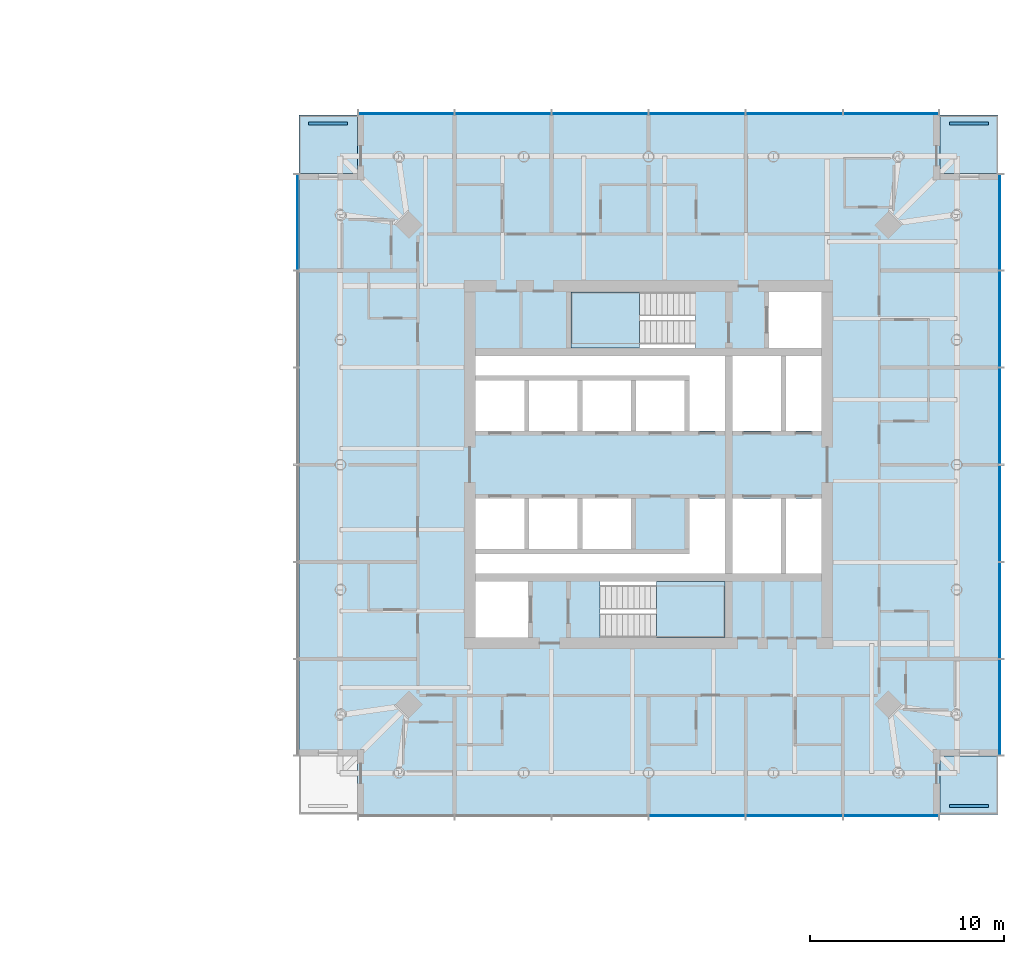
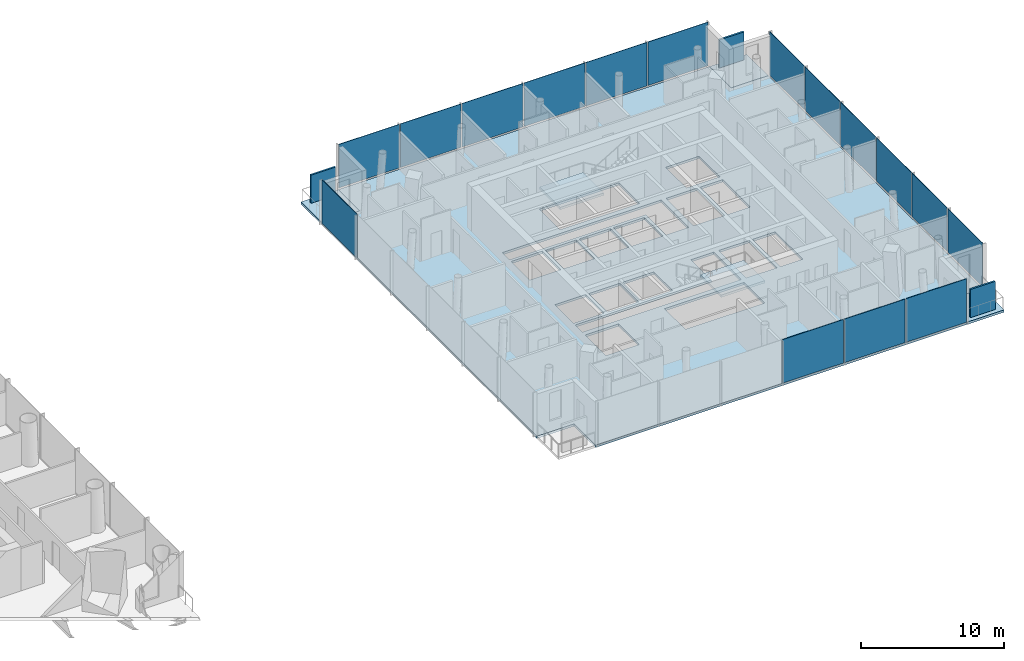
# One storey, part 7 of 18: 19 plates, 6 slabs, 6 elements without a shape of their own.
"""IFC4 building model written with IfcOpenShell, lengths in metres."""

from ifc_helpers import new_model, si_unit, direction, frame, origin, origin_2d, place, context, subcontext, project, spatial, polyline, rectangle, outline, extrude, material, layer, layer_set, type_object, element, aggregate, save


model = new_model("IFC4")

# Units and contexts
model_context = context("Model", 3, precision=1e-05, world=origin(), true_north=direction((0.0, 1.0)))
body_context = subcontext(model_context, "Body", "Model", "MODEL_VIEW")
ifc_project = project(units=[si_unit("LENGTHUNIT", "METRE"), si_unit("AREAUNIT", "SQUARE_METRE"), si_unit("VOLUMEUNIT", "CUBIC_METRE"), si_unit("PLANEANGLEUNIT", "RADIAN"), si_unit("MASSUNIT", "GRAM", prefix="KILO")], contexts=[model_context])

# Site, building, storey
site_placement = place(None, origin())
site = spatial("IfcSite", under=ifc_project, at=site_placement, CompositionType="ELEMENT")
building_placement = place(site_placement, origin())
building = spatial("IfcBuilding", under=site, at=building_placement, Name="Ostroluk Exchange", CompositionType="ELEMENT")
storey_placement = place(building_placement, frame((0.0, 0.0, 93.199951171875)))
storey = spatial("IfcBuildingStorey", under=building, at=storey_placement, Name="L23", CompositionType="ELEMENT", Elevation=93.199951171875)

# Curtain wall, plates
ifc_material_1 = material(Name="Laminated clear glass", Category="glass")
curtain_wall_type = type_object("IfcCurtainWallType", Name="Hotel guest floor facade", PredefinedType="USERDEFINED", material=ifc_material_1)
curtain_wall_1_placement = place(storey_placement, origin())
curtain_wall_1 = element("IfcCurtainWall", 1, at=curtain_wall_1_placement, inside=storey, type_object=curtain_wall_type, Name="Hotel tower south facade L23", ObjectType="UNITISED CURTAIN WALL", PredefinedType="USERDEFINED")
ifc_material_2 = material(Name="Laminated clear glass", Category="glass")
ifc_layer_1 = layer(ifc_material_2, 0.0400390625)
ifc_layer_set_1 = layer_set([ifc_layer_1], Name="Acoustic laminated glazing 40")
plate_type_1 = type_object("IfcPlateType", Name="Acoustic laminated glazing 40", PredefinedType="CURTAIN_PANEL", material=ifc_layer_set_1)
plate_1_placement = place(storey_placement, frame((119.5, 27.925048828125, 0.080078125), z_axis=(0.0, 0.0, 1.0), x_axis=(1.0, 0.0, 0.0)))
plate_1 = element("IfcPlate", 2, at=plate_1_placement, type_object=plate_type_1, Name="CW-H1 panel 4.1", PredefinedType="CURTAIN_PANEL", context=body_context, shape_type="SweptSolid", body=[
    extrude(rectangle(XDim=4.919921875, YDim=0.0400390625, at=origin_2d()), origin(), (0.0, 0.0, 1.0), 3.719970703125),
])
plate_2_placement = place(storey_placement, frame((124.5, 27.925048828125, 0.080078125), z_axis=(0.0, 0.0, 1.0), x_axis=(1.0, 0.0, 0.0)))
plate_2 = element("IfcPlate", 3, at=plate_2_placement, type_object=plate_type_1, Name="CW-H1 panel 5.1", PredefinedType="CURTAIN_PANEL", context=body_context, shape_type="SweptSolid", body=[
    extrude(rectangle(XDim=4.919921875, YDim=0.0400390625, at=origin_2d()), origin(), (0.0, 0.0, 1.0), 3.719970703125),
])
plate_3_placement = place(storey_placement, frame((129.47998046875, 27.925048828125, 0.080078125), z_axis=(0.0, 0.0, 1.0), x_axis=(1.0, 0.0, 0.0)))
plate_3 = element("IfcPlate", 4, at=plate_3_placement, type_object=plate_type_1, Name="CW-H1 panel 6.1", PredefinedType="CURTAIN_PANEL", context=body_context, shape_type="SweptSolid", body=[
    extrude(rectangle(XDim=4.8798828125, YDim=0.0400390625, at=origin_2d()), origin(), (0.0, 0.0, 1.0), 3.719970703125),
])
aggregate(curtain_wall_1, [plate_1, plate_2, plate_3])

curtain_wall_2_placement = place(storey_placement, origin())
curtain_wall_2 = element("IfcCurtainWall", 5, at=curtain_wall_2_placement, inside=storey, type_object=curtain_wall_type, Name="Hotel tower east facade L23", ObjectType="UNITISED CURTAIN WALL", PredefinedType="USERDEFINED")
plate_4_placement = place(storey_placement, frame((135.074951171875, 33.52001953125, 0.080078125), z_axis=(0.0, 0.0, 1.0), x_axis=(0.0, 1.0, 0.0)))
plate_4 = element("IfcPlate", 6, at=plate_4_placement, type_object=plate_type_1, Name="CW-H1 panel 1.1", PredefinedType="CURTAIN_PANEL", context=body_context, shape_type="SweptSolid", body=[
    extrude(rectangle(XDim=4.8798828125, YDim=0.0400390625, at=origin_2d()), origin(), (0.0, 0.0, 1.0), 3.719970703125),
])
plate_5_placement = place(storey_placement, frame((135.074951171875, 38.5, 0.080078125), z_axis=(0.0, 0.0, 1.0), x_axis=(0.0, 1.0, 0.0)))
plate_5 = element("IfcPlate", 7, at=plate_5_placement, type_object=plate_type_1, Name="CW-H1 panel 2.1", PredefinedType="CURTAIN_PANEL", context=body_context, shape_type="SweptSolid", body=[
    extrude(rectangle(XDim=4.919921875, YDim=0.0400390625, at=origin_2d()), origin(), (0.0, 0.0, 1.0), 3.719970703125),
])
plate_6_placement = place(storey_placement, frame((135.074951171875, 43.5, 0.080078125), z_axis=(0.0, 0.0, 1.0), x_axis=(0.0, 1.0, 0.0)))
plate_6 = element("IfcPlate", 8, at=plate_6_placement, type_object=plate_type_1, Name="CW-H1 panel 3.1", PredefinedType="CURTAIN_PANEL", context=body_context, shape_type="SweptSolid", body=[
    extrude(rectangle(XDim=4.919921875, YDim=0.0400390625, at=origin_2d()), origin(), (0.0, 0.0, 1.0), 3.719970703125),
])
plate_7_placement = place(storey_placement, frame((135.074951171875, 48.5, 0.080078125), z_axis=(0.0, 0.0, 1.0), x_axis=(0.0, 1.0, 0.0)))
plate_7 = element("IfcPlate", 9, at=plate_7_placement, type_object=plate_type_1, Name="CW-H1 panel 4.1", PredefinedType="CURTAIN_PANEL", context=body_context, shape_type="SweptSolid", body=[
    extrude(rectangle(XDim=4.919921875, YDim=0.0400390625, at=origin_2d()), origin(), (0.0, 0.0, 1.0), 3.719970703125),
])
plate_8_placement = place(storey_placement, frame((135.074951171875, 53.5, 0.080078125), z_axis=(0.0, 0.0, 1.0), x_axis=(0.0, 1.0, 0.0)))
plate_8 = element("IfcPlate", 10, at=plate_8_placement, type_object=plate_type_1, Name="CW-H1 panel 5.1", PredefinedType="CURTAIN_PANEL", context=body_context, shape_type="SweptSolid", body=[
    extrude(rectangle(XDim=4.919921875, YDim=0.0400390625, at=origin_2d()), origin(), (0.0, 0.0, 1.0), 3.719970703125),
])
plate_9_placement = place(storey_placement, frame((135.074951171875, 58.47998046875, 0.080078125), z_axis=(0.0, 0.0, 1.0), x_axis=(0.0, 1.0, 0.0)))
plate_9 = element("IfcPlate", 11, at=plate_9_placement, type_object=plate_type_1, Name="CW-H1 panel 6.1", PredefinedType="CURTAIN_PANEL", context=body_context, shape_type="SweptSolid", body=[
    extrude(rectangle(XDim=4.8798828125, YDim=0.0400390625, at=origin_2d()), origin(), (0.0, 0.0, 1.0), 3.719970703125),
])
aggregate(curtain_wall_2, [plate_4, plate_5, plate_6, plate_7, plate_8, plate_9])

curtain_wall_3_placement = place(storey_placement, origin())
curtain_wall_3 = element("IfcCurtainWall", 12, at=curtain_wall_3_placement, inside=storey, type_object=curtain_wall_type, Name="Hotel tower north facade L23", ObjectType="UNITISED CURTAIN WALL", PredefinedType="USERDEFINED")
plate_10_placement = place(storey_placement, frame((129.47998046875, 64.074951171875, 0.080078125), z_axis=(0.0, 0.0, 1.0), x_axis=(-1.0, 0.0, 0.0)))
plate_10 = element("IfcPlate", 13, at=plate_10_placement, type_object=plate_type_1, Name="CW-H1 panel 1.1", PredefinedType="CURTAIN_PANEL", context=body_context, shape_type="SweptSolid", body=[
    extrude(rectangle(XDim=4.8798828125, YDim=0.0400390625, at=origin_2d()), origin(), (0.0, 0.0, 1.0), 3.719970703125),
])
plate_11_placement = place(storey_placement, frame((124.5, 64.074951171875, 0.080078125), z_axis=(0.0, 0.0, 1.0), x_axis=(-1.0, 0.0, 0.0)))
plate_11 = element("IfcPlate", 14, at=plate_11_placement, type_object=plate_type_1, Name="CW-H1 panel 2.1", PredefinedType="CURTAIN_PANEL", context=body_context, shape_type="SweptSolid", body=[
    extrude(rectangle(XDim=4.919921875, YDim=0.0400390625, at=origin_2d()), origin(), (0.0, 0.0, 1.0), 3.719970703125),
])
plate_12_placement = place(storey_placement, frame((119.5, 64.074951171875, 0.080078125), z_axis=(0.0, 0.0, 1.0), x_axis=(-1.0, 0.0, 0.0)))
plate_12 = element("IfcPlate", 15, at=plate_12_placement, type_object=plate_type_1, Name="CW-H1 panel 3.1", PredefinedType="CURTAIN_PANEL", context=body_context, shape_type="SweptSolid", body=[
    extrude(rectangle(XDim=4.919921875, YDim=0.0400390625, at=origin_2d()), origin(), (0.0, 0.0, 1.0), 3.719970703125),
])
plate_13_placement = place(storey_placement, frame((114.5, 64.074951171875, 0.080078125), z_axis=(0.0, 0.0, 1.0), x_axis=(-1.0, 0.0, 0.0)))
plate_13 = element("IfcPlate", 16, at=plate_13_placement, type_object=plate_type_1, Name="CW-H1 panel 4.1", PredefinedType="CURTAIN_PANEL", context=body_context, shape_type="SweptSolid", body=[
    extrude(rectangle(XDim=4.919921875, YDim=0.0400390625, at=origin_2d()), origin(), (0.0, 0.0, 1.0), 3.719970703125),
])
plate_14_placement = place(storey_placement, frame((109.5, 64.074951171875, 0.080078125), z_axis=(0.0, 0.0, 1.0), x_axis=(-1.0, 0.0, 0.0)))
plate_14 = element("IfcPlate", 17, at=plate_14_placement, type_object=plate_type_1, Name="CW-H1 panel 5.1", PredefinedType="CURTAIN_PANEL", context=body_context, shape_type="SweptSolid", body=[
    extrude(rectangle(XDim=4.919921875, YDim=0.0400390625, at=origin_2d()), origin(), (0.0, 0.0, 1.0), 3.719970703125),
])
plate_15_placement = place(storey_placement, frame((104.52001953125, 64.074951171875, 0.080078125), z_axis=(0.0, 0.0, 1.0), x_axis=(-1.0, 0.0, 0.0)))
plate_15 = element("IfcPlate", 18, at=plate_15_placement, type_object=plate_type_1, Name="CW-H1 panel 6.1", PredefinedType="CURTAIN_PANEL", context=body_context, shape_type="SweptSolid", body=[
    extrude(rectangle(XDim=4.8798828125, YDim=0.0400390625, at=origin_2d()), origin(), (0.0, 0.0, 1.0), 3.719970703125),
])
aggregate(curtain_wall_3, [plate_10, plate_11, plate_12, plate_13, plate_14, plate_15])

# Curtain wall, plate
curtain_wall_4_placement = place(storey_placement, origin())
curtain_wall_4 = element("IfcCurtainWall", 19, at=curtain_wall_4_placement, inside=storey, type_object=curtain_wall_type, Name="Hotel tower west facade L23", ObjectType="UNITISED CURTAIN WALL", PredefinedType="USERDEFINED")
plate_16_placement = place(storey_placement, frame((98.925048828125, 58.47998046875, 0.080078125), z_axis=(0.0, 0.0, 1.0), x_axis=(0.0, -1.0, 0.0)))
plate_16 = element("IfcPlate", 20, at=plate_16_placement, type_object=plate_type_1, Name="CW-H1 panel 1.1", PredefinedType="CURTAIN_PANEL", context=body_context, shape_type="SweptSolid", body=[
    extrude(rectangle(XDim=4.8798828125, YDim=0.0400390625, at=origin_2d()), origin(), (0.0, 0.0, 1.0), 3.719970703125),
])
aggregate(curtain_wall_4, [plate_16])

# Slabs
ifc_material_3 = material(Name="Concrete C35/45", Category="concrete")
ifc_layer_2 = layer(ifc_material_3, 0.199951171875)
ifc_layer_set_2 = layer_set([ifc_layer_2], Name="Balcony slab 200")
slab_type_1 = type_object("IfcSlabType", Name="Balcony slab 200", PredefinedType="USERDEFINED", material=ifc_layer_set_2)
slab_1_placement = place(storey_placement, frame((0.0, 0.0, -0.199951171875)))
element("IfcSlab", 21, at=slab_1_placement, inside=storey, type_object=slab_type_1, Name="Hotel tower SE corner balcony L23", ObjectType="BALCONY", PredefinedType="USERDEFINED", context=body_context, shape_type="SweptSolid", body=[
    extrude(outline(polyline([(132.0, 28.0), (135.0, 28.0), (135.0, 31.0), (132.0, 31.0), (132.0, 28.0)])), origin(), (0.0, 0.0, 1.0), 0.199951171875),
])
slab_2_placement = place(storey_placement, frame((0.0, 0.0, -0.199951171875)))
element("IfcSlab", 22, at=slab_2_placement, inside=storey, type_object=slab_type_1, Name="Hotel tower NE corner balcony L23", ObjectType="BALCONY", PredefinedType="USERDEFINED", context=body_context, shape_type="SweptSolid", body=[
    extrude(outline(polyline([(132.0, 61.0), (135.0, 61.0), (135.0, 64.0), (132.0, 64.0), (132.0, 61.0)])), origin(), (0.0, 0.0, 1.0), 0.199951171875),
])
slab_3_placement = place(storey_placement, frame((0.0, 0.0, -0.199951171875)))
element("IfcSlab", 23, at=slab_3_placement, inside=storey, type_object=slab_type_1, Name="Hotel tower NW corner balcony L23", ObjectType="BALCONY", PredefinedType="USERDEFINED", context=body_context, shape_type="SweptSolid", body=[
    extrude(outline(polyline([(99.0, 61.0), (102.0, 61.0), (102.0, 64.0), (99.0, 64.0), (99.0, 61.0)])), origin(), (0.0, 0.0, 1.0), 0.199951171875),
])

# Plates
ifc_material_4 = material(Name="Steel S355 trellis with planting", Category="steel")
ifc_layer_3 = layer(ifc_material_4, 0.14990234375)
ifc_layer_set_3 = layer_set([ifc_layer_3], Name="Planted screen 150")
plate_type_2 = type_object("IfcPlateType", Name="Planted screen 150", PredefinedType="USERDEFINED", material=ifc_layer_set_3)
for number, where, z_axis, x_axis, name in (
    (24, (133.5, 28.425048828125, 0.0), (0.0, 0.0, 1.0), (1.0, 0.0, 0.0), "Hotel tower SE planted screen L23"),
    (25, (133.5, 63.574951171875, 0.0), (0.0, 0.0, 1.0), (1.0, 0.0, 0.0), "Hotel tower NE planted screen L23"),
    (26, (100.5, 63.574951171875, 0.0), (0.0, 0.0, 1.0), (1.0, 0.0, 0.0), "Hotel tower NW planted screen L23"),
):
    element("IfcPlate", number, at=place(storey_placement, frame(where, z_axis=z_axis, x_axis=x_axis)), inside=storey, type_object=plate_type_2, Name=name, ObjectType="PLANTED SCREEN", PredefinedType="USERDEFINED", context=body_context, shape_type="SweptSolid", body=[
        extrude(rectangle(XDim=2.0, YDim=0.14990234375, at=origin_2d()), origin(), (0.0, 0.0, 1.0), 2.39990234375),
    ])

# Stair, slab
ifc_material_5 = material(Name="Concrete C30/37", Category="concrete")
stair_type = type_object("IfcStairType", Name="Exit stair half turn 3800", PredefinedType="HALF_TURN_STAIR", material=ifc_material_5)
stair_1_placement = place(storey_placement, origin())
stair_1 = element("IfcStair", 27, at=stair_1_placement, inside=storey, type_object=stair_type, Name="Stair T2-S1 L23", PredefinedType="HALF_TURN_STAIR")
ifc_material_6 = material(Name="Concrete C30/37", Category="concrete")
ifc_layer_4 = layer(ifc_material_6, 0.199951171875)
ifc_layer_set_4 = layer_set([ifc_layer_4], Name="Stair landing 200")
slab_type_2 = type_object("IfcSlabType", Name="Stair landing 200", PredefinedType="LANDING", material=ifc_layer_set_4)
slab_4_placement = place(storey_placement, frame((0.0, 0.0, 1.699951171875)))
slab_4 = element("IfcSlab", 28, at=slab_4_placement, type_object=slab_type_2, Name="T2-S1 landing 1", PredefinedType="LANDING", context=body_context, shape_type="SweptSolid", body=[
    extrude(outline(polyline([(117.39990234375, 37.10009765625), (117.39990234375, 40.0), (120.929931640625, 40.0), (120.929931640625, 37.10009765625), (117.39990234375, 37.10009765625)])), origin(), (0.0, 0.0, 1.0), 0.2001953125),
])
aggregate(stair_1, [slab_4])

stair_2_placement = place(storey_placement, origin())
stair_2 = element("IfcStair", 29, at=stair_2_placement, inside=storey, type_object=stair_type, Name="Stair T2-S2 L23", PredefinedType="HALF_TURN_STAIR")
slab_5_placement = place(storey_placement, frame((0.0, 0.0, 1.699951171875)))
slab_5 = element("IfcSlab", 30, at=slab_5_placement, type_object=slab_type_2, Name="T2-S2 landing 1", PredefinedType="LANDING", context=body_context, shape_type="SweptSolid", body=[
    extrude(outline(polyline([(116.530029296875, 52.0), (116.530029296875, 54.89990234375), (113.0, 54.89990234375), (113.0, 52.0), (116.530029296875, 52.0)])), origin(), (0.0, 0.0, 1.0), 0.2001953125),
])
aggregate(stair_2, [slab_5])

# Slab
ifc_material_7 = material(Name="Concrete C35/45", Category="concrete")
ifc_layer_5 = layer(ifc_material_7, 0.199951171875)
ifc_layer_set_5 = layer_set([ifc_layer_5], Name="Tower floor slab 200 composite")
slab_type_3 = type_object("IfcSlabType", Name="Tower floor slab 200 composite", PredefinedType="FLOOR", material=ifc_layer_set_5)
slab_6_placement = place(storey_placement, frame((0.0, 0.0, -0.199951171875)))
element("IfcSlab", 31, at=slab_6_placement, inside=storey, type_object=slab_type_3, Name="Hotel tower floor slab L23", PredefinedType="FLOOR", context=body_context, shape_type="SweptSolid", body=[
    extrude(outline(polyline([(102.0, 28.0), (132.0, 28.0), (132.0, 31.0), (135.0, 31.0), (135.0, 61.0), (132.0, 61.0), (132.0, 64.0), (102.0, 64.0), (102.0, 61.0), (99.0, 61.0), (99.0, 31.0), (102.0, 31.0), (102.0, 28.0)]), holes=[polyline([(108.10009765625, 37.10009765625), (110.800048828125, 37.10009765625), (110.800048828125, 40.0), (108.10009765625, 40.0), (108.10009765625, 37.10009765625)]), polyline([(114.510009765625, 37.10009765625), (120.929931640625, 37.10009765625), (120.929931640625, 40.0), (114.510009765625, 40.0), (114.510009765625, 37.10009765625)]), polyline([(113.0, 52.0), (119.419921875, 52.0), (119.419921875, 54.89990234375), (113.0, 54.89990234375), (113.0, 52.0)]), polyline([(123.199951171875, 52.0), (125.89990234375, 52.0), (125.89990234375, 54.89990234375), (123.199951171875, 54.89990234375), (123.199951171875, 52.0)]), polyline([(108.10009765625, 47.75), (110.60009765625, 47.75), (110.60009765625, 50.35009765625), (108.10009765625, 50.35009765625), (108.10009765625, 47.75)]), polyline([(110.85009765625, 47.75), (113.35009765625, 47.75), (113.35009765625, 50.35009765625), (110.85009765625, 50.35009765625), (110.85009765625, 47.75)]), polyline([(113.60009765625, 47.75), (116.10009765625, 47.75), (116.10009765625, 50.35009765625), (113.60009765625, 50.35009765625), (113.60009765625, 47.75)]), polyline([(116.35009765625, 47.75), (118.85009765625, 47.75), (118.85009765625, 50.35009765625), (116.35009765625, 50.35009765625), (116.35009765625, 47.75)]), polyline([(108.10009765625, 41.64990234375), (110.60009765625, 41.64990234375), (110.60009765625, 44.25), (108.10009765625, 44.25), (108.10009765625, 41.64990234375)]), polyline([(110.85009765625, 41.64990234375), (113.35009765625, 41.64990234375), (113.35009765625, 44.25), (110.85009765625, 44.25), (110.85009765625, 41.64990234375)]), polyline([(113.60009765625, 41.64990234375), (116.10009765625, 41.64990234375), (116.10009765625, 44.25), (113.60009765625, 44.25), (113.60009765625, 41.64990234375)]), polyline([(121.330078125, 47.75), (123.830078125, 47.75), (123.830078125, 51.60009765625), (121.330078125, 51.60009765625), (121.330078125, 47.75)]), polyline([(121.330078125, 40.39990234375), (123.830078125, 40.39990234375), (123.830078125, 44.25), (121.330078125, 44.25), (121.330078125, 40.39990234375)]), polyline([(120.929931640625, 51.60009765625), (120.929931640625, 47.75), (119.10009765625, 47.75), (119.10009765625, 50.60009765625), (108.10009765625, 50.60009765625), (108.10009765625, 51.60009765625), (120.929931640625, 51.60009765625)]), polyline([(108.10009765625, 40.39990234375), (108.10009765625, 41.39990234375), (119.10009765625, 41.39990234375), (119.10009765625, 44.25), (120.929931640625, 44.25), (120.929931640625, 40.39990234375), (108.10009765625, 40.39990234375)]), polyline([(124.080078125, 47.75), (125.89990234375, 47.75), (125.89990234375, 51.60009765625), (124.080078125, 51.60009765625), (124.080078125, 47.75)]), polyline([(124.080078125, 40.39990234375), (125.89990234375, 40.39990234375), (125.89990234375, 44.25), (124.080078125, 44.25), (124.080078125, 40.39990234375)])]), origin(), (0.0, 0.0, 1.0), 0.199951171875),
])

save(model, "model.ifc")
